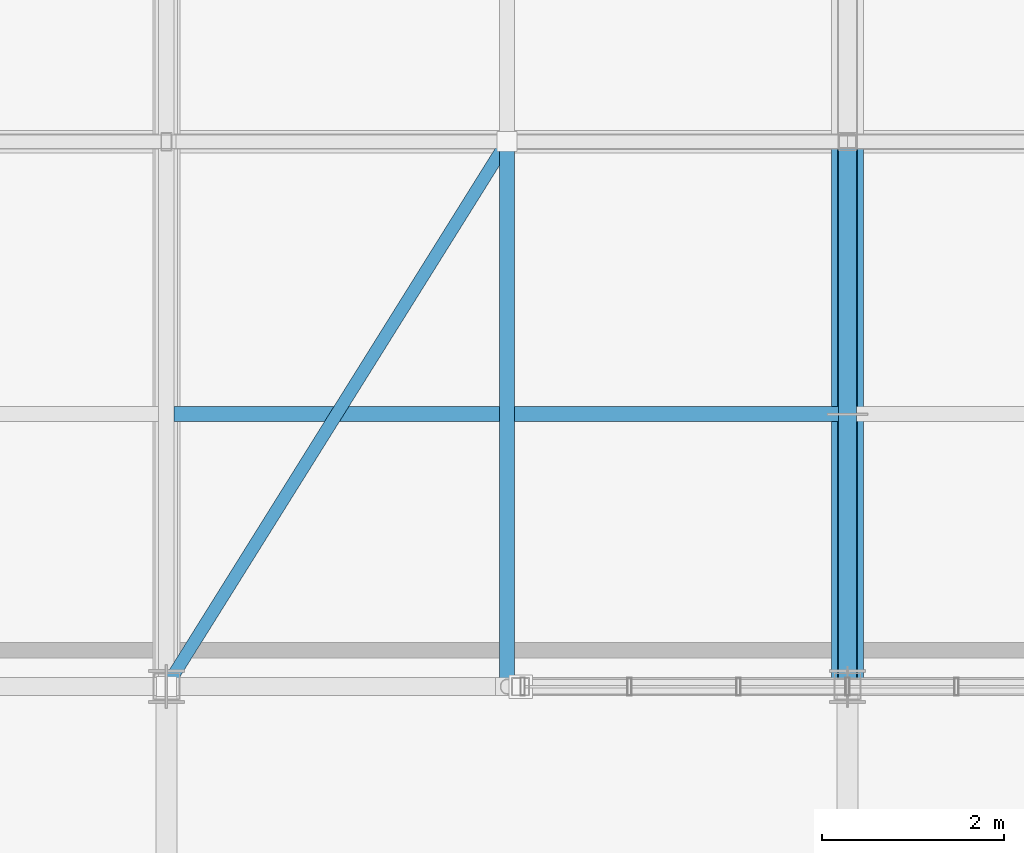
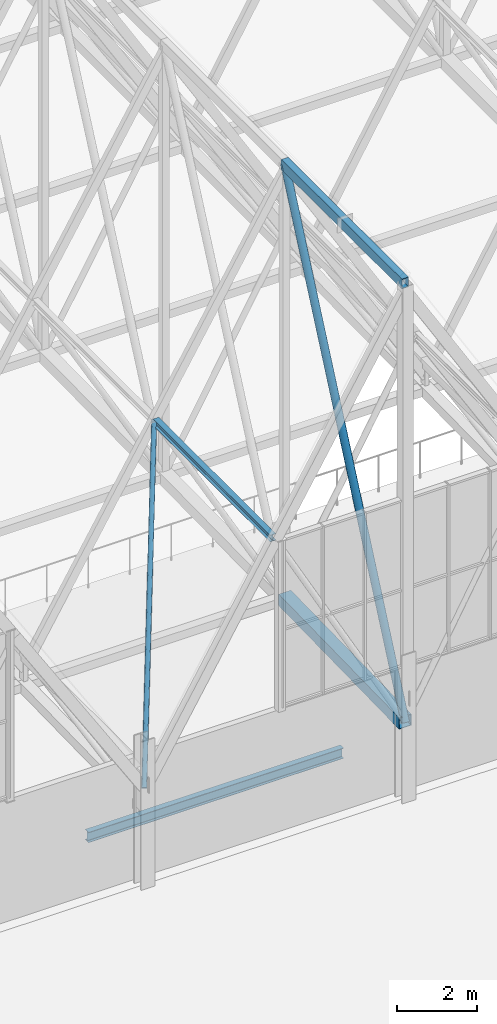
# One storey, part 94 of 324: 4 members, 2 beams.
"""IFC4 building model written with IfcOpenShell, lengths in metres."""

from ifc_helpers import new_model, si_unit, direction, frame, origin, origin_2d, place, context, subcontext, project, spatial, hollow_rectangle, hollow_circle, i_section, extrude, material, material_profile, profile_set, type_object, element, save


model = new_model("IFC4")

# Units and contexts
model_context = context("Model", 3, precision=1e-05, world=origin(), true_north=direction((0.0, 1.0)))
body_context = subcontext(model_context, "Body", "Model", "MODEL_VIEW")
ifc_project = project(units=[si_unit("LENGTHUNIT", "METRE"), si_unit("AREAUNIT", "SQUARE_METRE"), si_unit("VOLUMEUNIT", "CUBIC_METRE"), si_unit("PLANEANGLEUNIT", "RADIAN"), si_unit("MASSUNIT", "GRAM", prefix="KILO")], contexts=[model_context])

# Site, building, storey
site_placement = place(None, origin())
site = spatial("IfcSite", under=ifc_project, at=site_placement, CompositionType="ELEMENT")
building_placement = place(site_placement, origin())
building = spatial("IfcBuilding", under=site, at=building_placement, Name="Solvenia Promenade Tram Depot", CompositionType="ELEMENT")
storey_placement = place(building_placement, frame((0.0, 0.0, 4.5)))
storey = spatial("IfcBuildingStorey", under=building, at=storey_placement, Name="L01", CompositionType="ELEMENT", Elevation=4.5)

# Members
ifc_material_1 = material(Name="Structural steel ASTM A500 Gr. C", Category="steel")
ifc_material_profile_1 = material_profile(ifc_material_1, hollow_circle(Radius=0.109619140625, WallThickness=0.008056640625, at=origin_2d()), Name="CHS219.1x8", Category="steel")
ifc_profile_set_1 = profile_set([ifc_material_profile_1], Name="Structural steel ASTM A500 Gr. C")
member_type_1 = type_object("IfcMemberType", Name="Brace-CHS219x8", PredefinedType="BRACE", material=ifc_profile_set_1)
member_1_placement = place(storey_placement, frame((37.5, 66.0, 2.320068359375), z_axis=(0.0, 0.410529284431, 0.911847414113), x_axis=(-1.0, 0.0, 0.0)))
element("IfcMember", 1, at=member_1_placement, inside=storey, type_object=member_type_1, Name="Arched Truss T06 Web Diagonal S01", PredefinedType="BRACE", context=body_context, shape_type="SweptSolid", body=[
    extrude(hollow_circle(Radius=0.109619140625, WallThickness=0.008056640625, at=origin_2d()), origin(), (0.0, 0.0, 1.0), 14.615234375),
])
ifc_material_profile_2 = material_profile(ifc_material_1, hollow_rectangle(XDim=0.199951171875, YDim=0.300048828125, WallThickness=0.012451171875, at=origin_2d()), Name="HSS300x200x12.5", Category="steel")
ifc_profile_set_2 = profile_set([ifc_material_profile_2], Name="Structural steel ASTM A500 Gr. C")
member_type_2 = type_object("IfcMemberType", Name="Chord-HSS300x200x12", PredefinedType="CHORD", material=ifc_profile_set_2)
member_2_placement = place(storey_placement, frame((37.5, 66.0, 15.64697265625), z_axis=(0.0, 1.0, 0.0), x_axis=(-1.0, 0.0, 0.0)))
element("IfcMember", 2, at=member_2_placement, inside=storey, type_object=member_type_2, Name="Arched Truss T06 Upper Chord S01", PredefinedType="CHORD", context=body_context, shape_type="SweptSolid", body=[
    extrude(hollow_rectangle(XDim=0.199951171875, YDim=0.300048828125, WallThickness=0.012451171875, at=origin_2d()), origin(), (0.0, 0.0, 1.0), 6.0),
])
ifc_material_profile_3 = material_profile(ifc_material_1, hollow_rectangle(XDim=0.35009765625, YDim=0.35009765625, WallThickness=0.01611328125, at=origin_2d()), Name="HSS350x350x16", Category="steel")
ifc_profile_set_3 = profile_set([ifc_material_profile_3], Name="Structural steel ASTM A500 Gr. C")
member_type_3 = type_object("IfcMemberType", Name="Chord-HSS350x350x16", PredefinedType="CHORD", material=ifc_profile_set_3)
member_3_placement = place(storey_placement, frame((37.5, 66.0, 2.320068359375), z_axis=(0.0, 0.999779654873, 0.020991467363), x_axis=(-1.0, 0.0, 0.0)))
element("IfcMember", 3, at=member_3_placement, inside=storey, type_object=member_type_3, Name="Arched Truss T06 Bottom Chord S01", PredefinedType="CHORD", context=body_context, shape_type="SweptSolid", body=[
    extrude(hollow_rectangle(XDim=0.35009765625, YDim=0.35009765625, WallThickness=0.01611328125, at=origin_2d()), origin(), (0.0, 0.0, 1.0), 6.001220703125),
])

# Beams
ifc_material_2 = material(Name="Structural steel ASTM A992 Gr. 50", Category="steel")
ifc_material_profile_4 = material_profile(ifc_material_2, i_section(OverallWidth=0.166015625, OverallDepth=0.31298828125, WebThickness=0.006591796875, FlangeThickness=0.01123046875, FilletRadius=0.010009765625, at=origin_2d()), Name="W310x45", Category="steel")
ifc_profile_set_4 = profile_set([ifc_material_profile_4], Name="Structural steel ASTM A992 Gr. 50")
beam_type_1 = type_object("IfcBeamType", Name="Joist-W310x45", PredefinedType="JOIST", material=ifc_profile_set_4)
beam_1_placement = place(storey_placement, frame((30.0849609375, 69.0, -0.37646484375), z_axis=(1.0, 0.0, 0.0), x_axis=(0.0, 1.0, 0.0)))
element("IfcBeam", 4, at=beam_1_placement, inside=storey, type_object=beam_type_1, Name="Secondary Floor Joist BM-L01-0073", PredefinedType="JOIST", context=body_context, shape_type="SweptSolid", body=[
    extrude(i_section(OverallWidth=0.166015625, OverallDepth=0.31298828125, WebThickness=0.006591796875, FlangeThickness=0.01123046875, FilletRadius=0.010009765625, at=origin_2d()), origin(), (0.0, 0.0, 1.0), 7.330078125),
])
ifc_material_profile_5 = material_profile(ifc_material_2, i_section(OverallWidth=0.1650390625, OverallDepth=0.200927734375, WebThickness=0.006103515625, FlangeThickness=0.01025390625, FilletRadius=0.010009765625, at=origin_2d()), Name="W200x36", Category="steel")
ifc_profile_set_5 = profile_set([ifc_material_profile_5], Name="Structural steel ASTM A992 Gr. 50")
beam_type_2 = type_object("IfcBeamType", Name="Purlin-W200x36", PredefinedType="USERDEFINED", material=ifc_profile_set_5)
beam_2_placement = place(storey_placement, frame((33.75, 66.0849609375, 9.169677734375), z_axis=(0.0, 1.0, 0.0), x_axis=(-1.0, 0.0, 0.0)))
element("IfcBeam", 5, at=beam_2_placement, inside=storey, type_object=beam_type_2, Name="Gable Roof Purlin W-0041", ObjectType="PURLIN", PredefinedType="USERDEFINED", context=body_context, shape_type="SweptSolid", body=[
    extrude(i_section(OverallWidth=0.1650390625, OverallDepth=0.200927734375, WebThickness=0.006103515625, FlangeThickness=0.01025390625, FilletRadius=0.010009765625, at=origin_2d()), origin(), (0.0, 0.0, 1.0), 5.830078125),
])

# Member
ifc_material_profile_6 = material_profile(ifc_material_1, hollow_circle(Radius=0.06982421875, WallThickness=0.00634765625, at=origin_2d()), Name="CHS139.7x6.3", Category="steel")
ifc_profile_set_6 = profile_set([ifc_material_profile_6], Name="Structural steel ASTM A500 Gr. C")
member_type_4 = type_object("IfcMemberType", Name="RoofBrace-CHS140x6", PredefinedType="BRACE", material=ifc_profile_set_6)
member_4_placement = place(storey_placement, frame((30.0, 66.0, 2.93017578125), z_axis=(0.397261161555, 0.635617858488, 0.661946755783), x_axis=(-0.847998304005, 0.529998940003, 0.0)))
element("IfcMember", 6, at=member_4_placement, inside=storey, type_object=member_type_4, Name="Roof Plan Wind Brace 005", PredefinedType="BRACE", context=body_context, shape_type="SweptSolid", body=[
    extrude(hollow_circle(Radius=0.06982421875, WallThickness=0.00634765625, at=origin_2d()), origin(), (0.0, 0.0, 1.0), 9.439697265625),
])

save(model, "model.ifc")
